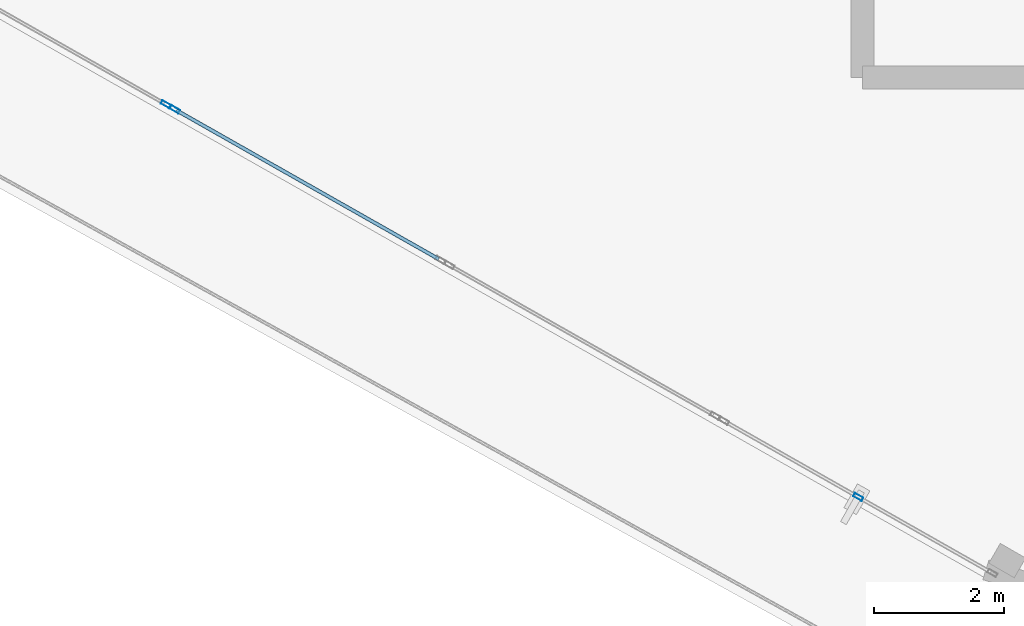
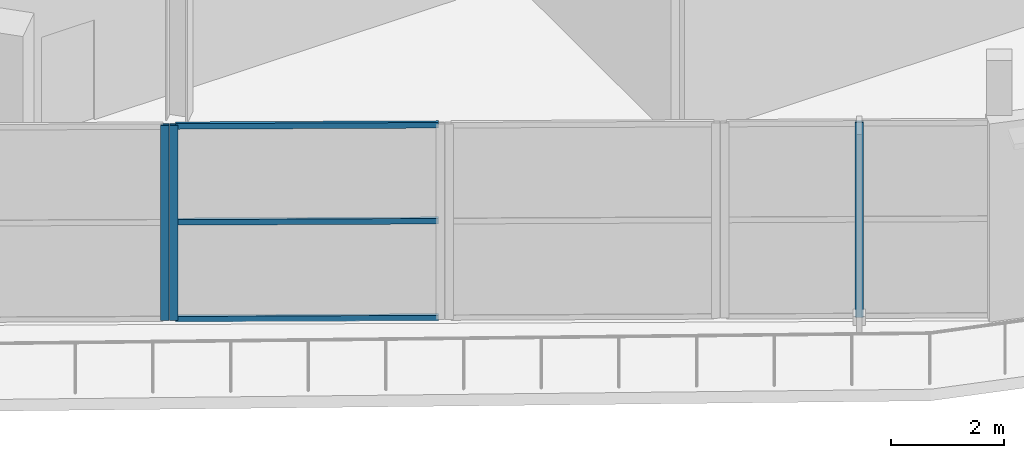
# One storey, part 17 of 123: 6 members, 3 elements without a shape of their own.
"""IFC4 building model written with IfcOpenShell, lengths in metres."""

from ifc_helpers import new_model, si_unit, direction, frame, origin, origin_2d, place, context, subcontext, project, spatial, hollow_rectangle, extrude, material, layer, layer_set, material_profile, profile_set, type_object, element, aggregate, save


model = new_model("IFC4")

# Units and contexts
model_context = context("Model", 3, precision=1e-05, world=origin(), true_north=direction((0.0, 1.0)))
body_context = subcontext(model_context, "Body", "Model", "MODEL_VIEW")
ifc_project = project(units=[si_unit("LENGTHUNIT", "METRE"), si_unit("AREAUNIT", "SQUARE_METRE"), si_unit("VOLUMEUNIT", "CUBIC_METRE"), si_unit("PLANEANGLEUNIT", "RADIAN"), si_unit("MASSUNIT", "GRAM", prefix="KILO")], contexts=[model_context])

# Site, building, storey
site_placement = place(None, origin())
site = spatial("IfcSite", under=ifc_project, at=site_placement, CompositionType="ELEMENT")
building_placement = place(site_placement, origin())
building = spatial("IfcBuilding", under=site, at=building_placement, Name="Kalgoora Escarpment Arena", CompositionType="ELEMENT")
storey_placement = place(building_placement, frame((0.0, 0.0, 9.89990234375)))
storey = spatial("IfcBuildingStorey", under=building, at=storey_placement, Name="L02", CompositionType="ELEMENT", Elevation=9.89990234375)

# Curtain wall, member
ifc_material_1 = material(Name=" Champagne anodised aluminium & double-glazed low-E", Category="aluminium")
ifc_layer_1 = layer(ifc_material_1, 0.157958984375)
ifc_layer_set_1 = layer_set([ifc_layer_1], Name="CW-UNIT-12")
curtain_wall_type_1 = type_object("IfcCurtainWallType", Name="CW-UNIT-12", PredefinedType="NOTDEFINED", material=ifc_layer_set_1)
curtain_wall_1_placement = place(storey_placement, origin())
curtain_wall_1 = element("IfcCurtainWall", 1, at=curtain_wall_1_placement, inside=storey, type_object=curtain_wall_type_1, Name="L02 unitised facade curtain wall 051", PredefinedType="NOTDEFINED")
ifc_material_2 = material(Name="Anodised aluminium 6063-T6", Category="aluminium")
ifc_material_profile_1 = material_profile(ifc_material_2, hollow_rectangle(XDim=0.06005859375, YDim=0.14990234375, WallThickness=0.00341796875, at=origin_2d()))
ifc_profile_set_1 = profile_set([ifc_material_profile_1], Name="Anodised aluminium 6063-T6")
member_type_1 = type_object("IfcMemberType", Name="MEM-CW-MULL-150", PredefinedType="MULLION", material=ifc_profile_set_1)
member_1_placement = place(storey_placement, frame((48.90771484375, 12.32373046875, 0.02001953125), z_axis=(0.0, 0.0, 1.0), x_axis=(-0.49334386581, -0.86983436933, 0.0)))
member_1 = element("IfcMember", 2, at=member_1_placement, type_object=member_type_1, Name="CW-12 mullion 2", PredefinedType="MULLION", context=body_context, shape_type="SweptSolid", body=[
    extrude(hollow_rectangle(XDim=0.06005859375, YDim=0.14990234375, WallThickness=0.00341796875, at=origin_2d()), origin(), (0.0, 0.0, 1.0), 4.205078125),
])
aggregate(curtain_wall_1, [member_1])

ifc_material_3 = material(Name=" Champagne anodised aluminium & double-glazed low-E", Category="aluminium")
ifc_layer_2 = layer(ifc_material_3, 0.166015625)
ifc_layer_set_2 = layer_set([ifc_layer_2], Name="CW-UNIT-14")
curtain_wall_type_2 = type_object("IfcCurtainWallType", Name="CW-UNIT-14", PredefinedType="NOTDEFINED", material=ifc_layer_set_2)
curtain_wall_2_placement = place(storey_placement, origin())
curtain_wall_2 = element("IfcCurtainWall", 3, at=curtain_wall_2_placement, inside=storey, type_object=curtain_wall_type_2, Name="L02 unitised facade curtain wall 053", PredefinedType="NOTDEFINED")
member_2_placement = place(storey_placement, frame((38.3974609375, 18.284912109375, 0.02001953125), z_axis=(0.0, 0.0, 1.0), x_axis=(-0.493330368859, -0.869842024256, 0.0)))
member_2 = element("IfcMember", 4, at=member_2_placement, type_object=member_type_1, Name="CW-14 mullion 2", PredefinedType="MULLION", context=body_context, shape_type="SweptSolid", body=[
    extrude(hollow_rectangle(XDim=0.06005859375, YDim=0.14990234375, WallThickness=0.00341796875, at=origin_2d()), origin(), (0.0, 0.0, 1.0), 4.205078125),
])

ifc_material_4 = material(Name=" Champagne anodised aluminium & double-glazed low-E", Category="aluminium")
ifc_layer_3 = layer(ifc_material_4, 0.14990234375)
ifc_layer_set_3 = layer_set([ifc_layer_3], Name="CW-UNIT-15")
curtain_wall_type_3 = type_object("IfcCurtainWallType", Name="CW-UNIT-15", PredefinedType="NOTDEFINED", material=ifc_layer_set_3)
curtain_wall_3_placement = place(storey_placement, origin())
curtain_wall_3 = element("IfcCurtainWall", 5, at=curtain_wall_3_placement, inside=storey, type_object=curtain_wall_type_3, Name="L02 unitised facade curtain wall 054", PredefinedType="NOTDEFINED")
member_3_placement = place(storey_placement, frame((38.25830078125, 18.36376953125, 0.02001953125), z_axis=(0.0, 0.0, 1.0), x_axis=(-0.49334386581, -0.86983436933, 0.0)))
member_3 = element("IfcMember", 6, at=member_3_placement, type_object=member_type_1, Name="CW-15 mullion 1", PredefinedType="MULLION", context=body_context, shape_type="SweptSolid", body=[
    extrude(hollow_rectangle(XDim=0.06005859375, YDim=0.14990234375, WallThickness=0.00341796875, at=origin_2d()), origin(), (0.0, 0.0, 1.0), 4.205078125),
])
aggregate(curtain_wall_3, [member_3])

# Member
ifc_material_5 = material(Name="Anodised aluminium 6063-T6", Category="aluminium")
ifc_material_profile_2 = material_profile(ifc_material_5, hollow_rectangle(XDim=0.054931640625, YDim=0.1201171875, WallThickness=0.003173828125, at=origin_2d()))
ifc_profile_set_2 = profile_set([ifc_material_profile_2], Name="Anodised aluminium 6063-T6")
member_type_2 = type_object("IfcMemberType", Name="MEM-CW-TRAN-120", PredefinedType="USERDEFINED", material=ifc_profile_set_2)
member_4_placement = place(storey_placement, frame((42.45556640625, 15.9833984375, 0.047607421875), z_axis=(-0.869852694163, 0.493311555164, 0.0), x_axis=(-0.493311555164, -0.869852694163, 0.0)))
member_4 = element("IfcMember", 7, at=member_4_placement, type_object=member_type_2, Name="CW-14 transom 1.1", ObjectType="TRANSOM", PredefinedType="USERDEFINED", context=body_context, shape_type="SweptSolid", body=[
    extrude(hollow_rectangle(XDim=0.054931640625, YDim=0.1201171875, WallThickness=0.003173828125, at=origin_2d()), origin(), (0.0, 0.0, 1.0), 4.63525390625),
])

member_5_placement = place(storey_placement, frame((42.45556640625, 15.9833984375, 2.132568359375), z_axis=(-0.869852694163, 0.493311555164, 0.0), x_axis=(-0.493311555164, -0.869852694163, 0.0)))
member_5 = element("IfcMember", 8, at=member_5_placement, type_object=member_type_2, Name="CW-14 transom 1.2", ObjectType="TRANSOM", PredefinedType="USERDEFINED", context=body_context, shape_type="SweptSolid", body=[
    extrude(hollow_rectangle(XDim=0.054931640625, YDim=0.1201171875, WallThickness=0.003173828125, at=origin_2d()), origin(), (0.0, 0.0, 1.0), 4.63525390625),
])

member_6_placement = place(storey_placement, frame((42.45556640625, 15.9833984375, 4.197509765625), z_axis=(-0.869852694163, 0.493311555164, 0.0), x_axis=(-0.493311555164, -0.869852694163, 0.0)))
member_6 = element("IfcMember", 9, at=member_6_placement, type_object=member_type_2, Name="CW-14 transom 1.3", ObjectType="TRANSOM", PredefinedType="USERDEFINED", context=body_context, shape_type="SweptSolid", body=[
    extrude(hollow_rectangle(XDim=0.054931640625, YDim=0.1201171875, WallThickness=0.003173828125, at=origin_2d()), origin(), (0.0, 0.0, 1.0), 4.63525390625),
])

aggregate(curtain_wall_2, [member_2, member_4, member_5, member_6])

save(model, "model.ifc")
